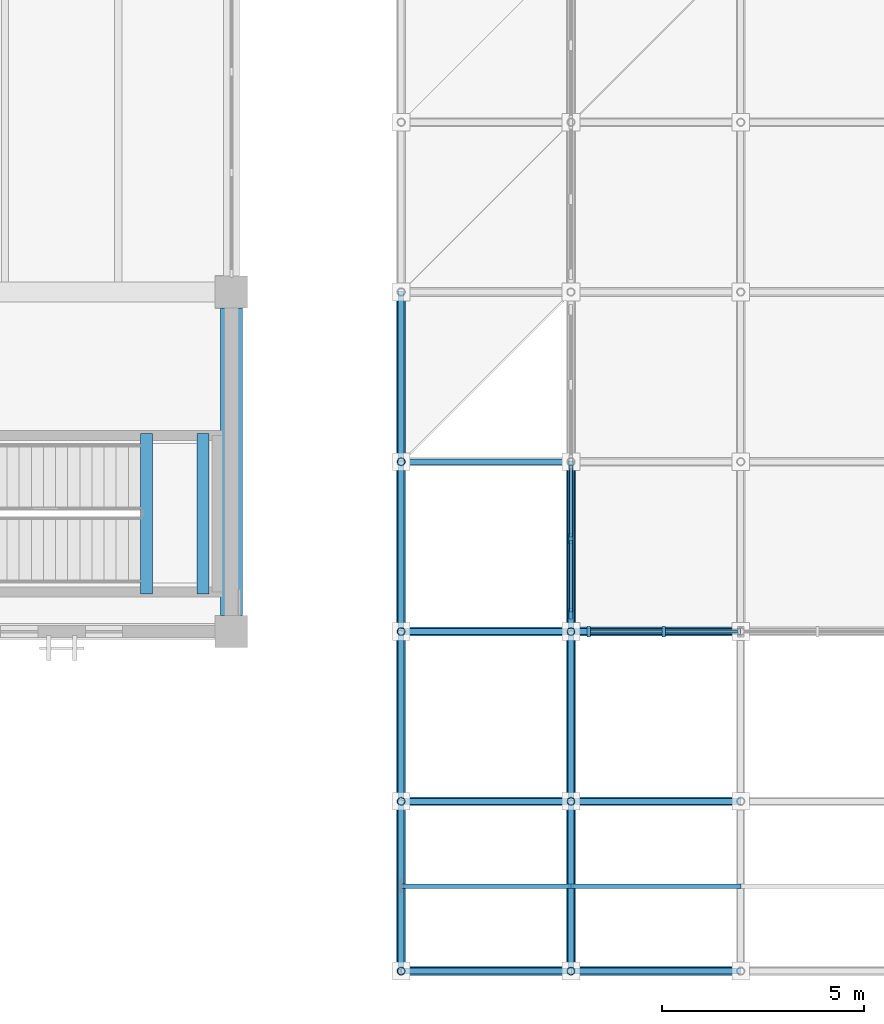
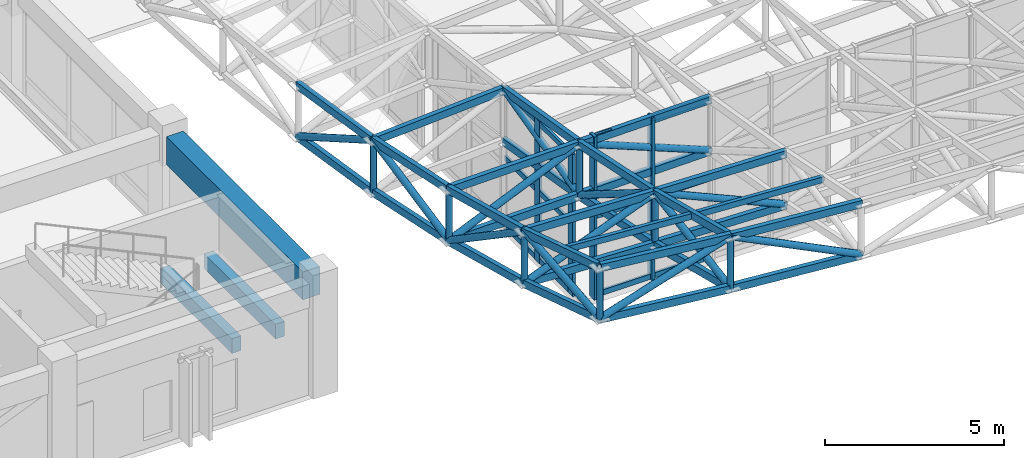
# One storey, part 13 of 132: 65 members, 3 beams, 2 elements without a shape of their own.
"""IFC4 building model written with IfcOpenShell, lengths in metres."""

from ifc_helpers import new_model, si_unit, direction, frame, origin, origin_2d, place, context, subcontext, project, spatial, rectangle, hollow_rectangle, hollow_circle, extrude, material, material_profile, profile_set, type_object, element, aggregate, save


model = new_model("IFC4")

# Units and contexts
model_context = context("Model", 3, precision=1e-05, world=origin(), true_north=direction((0.0, 1.0)))
body_context = subcontext(model_context, "Body", "Model", "MODEL_VIEW")
ifc_project = project(units=[si_unit("LENGTHUNIT", "METRE"), si_unit("AREAUNIT", "SQUARE_METRE"), si_unit("VOLUMEUNIT", "CUBIC_METRE"), si_unit("PLANEANGLEUNIT", "RADIAN"), si_unit("MASSUNIT", "GRAM", prefix="KILO")], contexts=[model_context])

# Site, building, storey
site_placement = place(None, origin())
site = spatial("IfcSite", under=ifc_project, at=site_placement, CompositionType="ELEMENT")
building_placement = place(site_placement, origin())
building = spatial("IfcBuilding", under=site, at=building_placement, Name="Cumbredor Promenade Congress Hotel", CompositionType="ELEMENT")
storey_placement = place(building_placement, frame((0.0, 0.0, 7.56005859375)))
storey = spatial("IfcBuildingStorey", under=building, at=storey_placement, Name="L02", CompositionType="ELEMENT", Elevation=7.56005859375)

# Beam
ifc_material_1 = material(Name="Concrete C40/50", Category="concrete")
ifc_material_profile_1 = material_profile(ifc_material_1, rectangle(XDim=0.550048828125, YDim=0.949951171875, at=origin_2d()), Name="RC BEAM 550x950")
ifc_profile_set_1 = profile_set([ifc_material_profile_1], Name="Concrete C40/50")
beam_type_1 = type_object("IfcBeamType", Name="BM-RC-550x950", PredefinedType="BEAM", material=ifc_profile_set_1)
beam_placement = place(storey_placement, frame((67.199951171875, 8.800048828125, 3.324951171875), z_axis=(0.0, 1.0, 0.0), x_axis=(-1.0, 0.0, 0.0)))
element("IfcBeam", 1, at=beam_placement, inside=storey, type_object=beam_type_1, Name="L03 Y-Grid Beam 115", PredefinedType="BEAM", context=body_context, shape_type="SweptSolid", body=[
    extrude(rectangle(XDim=0.550048828125, YDim=0.949951171875, at=origin_2d()), origin(), (0.0, 0.0, 1.0), 7.599853515625),
])

# Curtain wall, members
ifc_material_2 = material(Name="Thermally broken anodized aluminium and low-E glass", Category="aluminium")
curtain_wall_type = type_object("IfcCurtainWallType", Name="Stepped Pavilion Clerestory Curtain Wall CW-06", PredefinedType="NOTDEFINED", material=ifc_material_2)
curtain_wall_1_placement = place(storey_placement, origin())
curtain_wall_1 = element("IfcCurtainWall", 2, at=curtain_wall_1_placement, inside=storey, type_object=curtain_wall_type, Name="Thermal Spa and Hydrotherapy Pavilion S Glazed Clerestory 1", PredefinedType="NOTDEFINED")
ifc_material_3 = material(Name="Thermally broken anodized aluminium", Category="aluminium")
ifc_material_profile_2 = material_profile(ifc_material_3, rectangle(XDim=0.0849609375, YDim=0.260009765625, at=origin_2d()), Name="ALU MULLION CLERESTORY 85x260")
ifc_profile_set_2 = profile_set([ifc_material_profile_2], Name="Thermally broken anodized aluminium")
member_type_1 = type_object("IfcMemberType", Name="Curtain Wall Mullion ML-04", PredefinedType="MULLION", material=ifc_profile_set_2)
member_1_placement = place(storey_placement, frame((76.0400390625, 8.39990234375, -0.01806640625), z_axis=(0.0, 0.0, 1.0), x_axis=(1.0, 0.0, 0.0)))
member_1 = element("IfcMember", 3, at=member_1_placement, type_object=member_type_1, Name="Thermal Spa and Hydrotherapy Pavilion S Glazed Clerestory 1 Mullion 1", PredefinedType="MULLION", context=body_context, shape_type="SweptSolid", body=[
    extrude(rectangle(XDim=0.0849609375, YDim=0.260009765625, at=origin_2d()), origin(), (0.0, 0.0, 1.0), 5.54931640625),
])
member_2_placement = place(storey_placement, frame((77.89990234375, 8.39990234375, -0.01806640625), z_axis=(0.0, 0.0, 1.0), x_axis=(1.0, 0.0, 0.0)))
member_2 = element("IfcMember", 4, at=member_2_placement, type_object=member_type_1, Name="Thermal Spa and Hydrotherapy Pavilion S Glazed Clerestory 1 Mullion 2", PredefinedType="MULLION", context=body_context, shape_type="SweptSolid", body=[
    extrude(rectangle(XDim=0.0849609375, YDim=0.260009765625, at=origin_2d()), origin(), (0.0, 0.0, 1.0), 5.54931640625),
])

curtain_wall_2_placement = place(storey_placement, origin())
curtain_wall_2 = element("IfcCurtainWall", 5, at=curtain_wall_2_placement, inside=storey, type_object=curtain_wall_type, Name="Thermal Spa and Hydrotherapy Pavilion W Glazed Clerestory 1", PredefinedType="NOTDEFINED")
member_3_placement = place(storey_placement, frame((75.60009765625, 8.840087890625, -0.01806640625), z_axis=(0.0, 0.0, 1.0), x_axis=(1.0, 0.0, 0.0)))
member_3 = element("IfcMember", 6, at=member_3_placement, type_object=member_type_1, Name="Thermal Spa and Hydrotherapy Pavilion W Glazed Clerestory 1 Mullion 1", PredefinedType="MULLION", context=body_context, shape_type="SweptSolid", body=[
    extrude(rectangle(XDim=0.0849609375, YDim=0.260009765625, at=origin_2d()), origin(), (0.0, 0.0, 1.0), 4.845947265625),
])
member_4_placement = place(storey_placement, frame((75.60009765625, 10.699951171875, -0.01806640625), z_axis=(0.0, 0.0, 1.0), x_axis=(1.0, 0.0, 0.0)))
member_4 = element("IfcMember", 7, at=member_4_placement, type_object=member_type_1, Name="Thermal Spa and Hydrotherapy Pavilion W Glazed Clerestory 1 Mullion 2", PredefinedType="MULLION", context=body_context, shape_type="SweptSolid", body=[
    extrude(rectangle(XDim=0.0849609375, YDim=0.260009765625, at=origin_2d()), origin(), (0.0, 0.0, 1.0), 4.845947265625),
])

# Member
ifc_material_profile_3 = material_profile(ifc_material_3, rectangle(XDim=0.080078125, YDim=0.179931640625, at=origin_2d()), Name="ALU TRANSOM 80x180")
ifc_profile_set_3 = profile_set([ifc_material_profile_3], Name="Thermally broken anodized aluminium")
member_type_2 = type_object("IfcMemberType", Name="Curtain Wall Transom TR-03", PredefinedType="USERDEFINED", material=ifc_profile_set_3)
member_5_placement = place(storey_placement, frame((76.08251953125, 8.39990234375, 0.079833984375), z_axis=(1.0, 0.0, 0.0), x_axis=(0.0, 1.0, 0.0)))
member_5 = element("IfcMember", 8, at=member_5_placement, type_object=member_type_2, Name="Thermal Spa and Hydrotherapy Pavilion S Glazed Clerestory 1 Transom 1.1", ObjectType="TRANSOM", PredefinedType="USERDEFINED", context=body_context, shape_type="SweptSolid", body=[
    extrude(rectangle(XDim=0.080078125, YDim=0.179931640625, at=origin_2d()), origin(), (0.0, 0.0, 1.0), 1.77490234375),
])

member_6_placement = place(storey_placement, frame((76.08251953125, 8.39990234375, 2.75), z_axis=(1.0, 0.0, 0.0), x_axis=(0.0, 1.0, 0.0)))
member_6 = element("IfcMember", 9, at=member_6_placement, type_object=member_type_2, Name="Thermal Spa and Hydrotherapy Pavilion S Glazed Clerestory 1 Transom 1.2", ObjectType="TRANSOM", PredefinedType="USERDEFINED", context=body_context, shape_type="SweptSolid", body=[
    extrude(rectangle(XDim=0.080078125, YDim=0.179931640625, at=origin_2d()), origin(), (0.0, 0.0, 1.0), 1.77490234375),
])

member_7_placement = place(storey_placement, frame((76.08251953125, 8.39990234375, 5.429931640625), z_axis=(1.0, 0.0, 0.0), x_axis=(0.0, 1.0, 0.0)))
member_7 = element("IfcMember", 10, at=member_7_placement, type_object=member_type_2, Name="Thermal Spa and Hydrotherapy Pavilion S Glazed Clerestory 1 Transom 1.3", ObjectType="TRANSOM", PredefinedType="USERDEFINED", context=body_context, shape_type="SweptSolid", body=[
    extrude(rectangle(XDim=0.080078125, YDim=0.179931640625, at=origin_2d()), origin(), (0.0, 0.0, 1.0), 1.77490234375),
])

member_8_placement = place(storey_placement, frame((77.9423828125, 8.39990234375, 0.079833984375), z_axis=(1.0, 0.0, 0.0), x_axis=(0.0, 1.0, 0.0)))
member_8 = element("IfcMember", 11, at=member_8_placement, type_object=member_type_2, Name="Thermal Spa and Hydrotherapy Pavilion S Glazed Clerestory 1 Transom 2.1", ObjectType="TRANSOM", PredefinedType="USERDEFINED", context=body_context, shape_type="SweptSolid", body=[
    extrude(rectangle(XDim=0.080078125, YDim=0.179931640625, at=origin_2d()), origin(), (0.0, 0.0, 1.0), 1.775146484375),
])

member_9_placement = place(storey_placement, frame((77.9423828125, 8.39990234375, 2.75), z_axis=(1.0, 0.0, 0.0), x_axis=(0.0, 1.0, 0.0)))
member_9 = element("IfcMember", 12, at=member_9_placement, type_object=member_type_2, Name="Thermal Spa and Hydrotherapy Pavilion S Glazed Clerestory 1 Transom 2.2", ObjectType="TRANSOM", PredefinedType="USERDEFINED", context=body_context, shape_type="SweptSolid", body=[
    extrude(rectangle(XDim=0.080078125, YDim=0.179931640625, at=origin_2d()), origin(), (0.0, 0.0, 1.0), 1.775146484375),
])

member_10_placement = place(storey_placement, frame((77.9423828125, 8.39990234375, 5.429931640625), z_axis=(1.0, 0.0, 0.0), x_axis=(0.0, 1.0, 0.0)))
member_10 = element("IfcMember", 13, at=member_10_placement, type_object=member_type_2, Name="Thermal Spa and Hydrotherapy Pavilion S Glazed Clerestory 1 Transom 2.3", ObjectType="TRANSOM", PredefinedType="USERDEFINED", context=body_context, shape_type="SweptSolid", body=[
    extrude(rectangle(XDim=0.080078125, YDim=0.179931640625, at=origin_2d()), origin(), (0.0, 0.0, 1.0), 1.775146484375),
])

aggregate(curtain_wall_1, [member_1, member_2, member_5, member_6, member_7, member_8, member_9, member_10])

member_11_placement = place(storey_placement, frame((75.60009765625, 8.882568359375, 0.079833984375), z_axis=(0.0, 1.0, 0.0), x_axis=(-1.0, 0.0, 0.0)))
member_11 = element("IfcMember", 14, at=member_11_placement, type_object=member_type_2, Name="Thermal Spa and Hydrotherapy Pavilion W Glazed Clerestory 1 Transom 1.1", ObjectType="TRANSOM", PredefinedType="USERDEFINED", context=body_context, shape_type="SweptSolid", body=[
    extrude(rectangle(XDim=0.080078125, YDim=0.179931640625, at=origin_2d()), origin(), (0.0, 0.0, 1.0), 1.77490234375),
])

member_12_placement = place(storey_placement, frame((75.60009765625, 8.882568359375, 2.39990234375), z_axis=(0.0, 1.0, 0.0), x_axis=(-1.0, 0.0, 0.0)))
member_12 = element("IfcMember", 15, at=member_12_placement, type_object=member_type_2, Name="Thermal Spa and Hydrotherapy Pavilion W Glazed Clerestory 1 Transom 1.2", ObjectType="TRANSOM", PredefinedType="USERDEFINED", context=body_context, shape_type="SweptSolid", body=[
    extrude(rectangle(XDim=0.080078125, YDim=0.179931640625, at=origin_2d()), origin(), (0.0, 0.0, 1.0), 1.77490234375),
])

member_13_placement = place(storey_placement, frame((75.60009765625, 8.882568359375, 4.72998046875), z_axis=(0.0, 1.0, 0.0), x_axis=(-1.0, 0.0, 0.0)))
member_13 = element("IfcMember", 16, at=member_13_placement, type_object=member_type_2, Name="Thermal Spa and Hydrotherapy Pavilion W Glazed Clerestory 1 Transom 1.3", ObjectType="TRANSOM", PredefinedType="USERDEFINED", context=body_context, shape_type="SweptSolid", body=[
    extrude(rectangle(XDim=0.080078125, YDim=0.179931640625, at=origin_2d()), origin(), (0.0, 0.0, 1.0), 1.77490234375),
])

member_14_placement = place(storey_placement, frame((75.60009765625, 10.742431640625, 0.079833984375), z_axis=(0.0, 1.0, 0.0), x_axis=(-1.0, 0.0, 0.0)))
member_14 = element("IfcMember", 17, at=member_14_placement, type_object=member_type_2, Name="Thermal Spa and Hydrotherapy Pavilion W Glazed Clerestory 1 Transom 2.1", ObjectType="TRANSOM", PredefinedType="USERDEFINED", context=body_context, shape_type="SweptSolid", body=[
    extrude(rectangle(XDim=0.080078125, YDim=0.179931640625, at=origin_2d()), origin(), (0.0, 0.0, 1.0), 1.775146484375),
])

member_15_placement = place(storey_placement, frame((75.60009765625, 10.742431640625, 2.39990234375), z_axis=(0.0, 1.0, 0.0), x_axis=(-1.0, 0.0, 0.0)))
member_15 = element("IfcMember", 18, at=member_15_placement, type_object=member_type_2, Name="Thermal Spa and Hydrotherapy Pavilion W Glazed Clerestory 1 Transom 2.2", ObjectType="TRANSOM", PredefinedType="USERDEFINED", context=body_context, shape_type="SweptSolid", body=[
    extrude(rectangle(XDim=0.080078125, YDim=0.179931640625, at=origin_2d()), origin(), (0.0, 0.0, 1.0), 1.775146484375),
])

member_16_placement = place(storey_placement, frame((75.60009765625, 10.742431640625, 4.72998046875), z_axis=(0.0, 1.0, 0.0), x_axis=(-1.0, 0.0, 0.0)))
member_16 = element("IfcMember", 19, at=member_16_placement, type_object=member_type_2, Name="Thermal Spa and Hydrotherapy Pavilion W Glazed Clerestory 1 Transom 2.3", ObjectType="TRANSOM", PredefinedType="USERDEFINED", context=body_context, shape_type="SweptSolid", body=[
    extrude(rectangle(XDim=0.080078125, YDim=0.179931640625, at=origin_2d()), origin(), (0.0, 0.0, 1.0), 1.775146484375),
])

aggregate(curtain_wall_2, [member_3, member_4, member_11, member_12, member_13, member_14, member_15, member_16])

# Beams
ifc_material_profile_4 = material_profile(ifc_material_1, rectangle(XDim=0.300048828125, YDim=0.5, at=origin_2d()), Name="RC LINTEL 300x500")
ifc_profile_set_4 = profile_set([ifc_material_profile_4], Name="Concrete C40/50")
beam_type_2 = type_object("IfcBeamType", Name="LN-RC-300x500", PredefinedType="LINTEL", material=ifc_profile_set_4)
for number, where, z_axis, x_axis, name in (
    (20, (66.5, 9.330078125, 1.64990234375), (0.0, 1.0, 0.0), (-1.0, 0.0, 0.0), "L02 Stair ST-05 Landing Ledger Beam E"),
    (21, (65.10009765625, 9.330078125, 1.64990234375), (0.0, 1.0, 0.0), (-1.0, 0.0, 0.0), "L02 Stair ST-05 Landing Ledger Beam W"),
):
    element("IfcBeam", number, at=place(storey_placement, frame(where, z_axis=z_axis, x_axis=x_axis)), inside=storey, type_object=beam_type_2, Name=name, PredefinedType="LINTEL", context=body_context, shape_type="SweptSolid", body=[
        extrude(rectangle(XDim=0.300048828125, YDim=0.5, at=origin_2d()), origin(), (0.0, 0.0, 1.0), 3.969970703125),
    ])

# Members
ifc_material_4 = material(Name="Steel ASTM A500 Grade C", Category="steel")
ifc_material_profile_5 = material_profile(ifc_material_4, hollow_rectangle(XDim=0.1201171875, YDim=0.199951171875, WallThickness=0.010009765625, at=origin_2d()), Name="HSS 200x120x10")
ifc_profile_set_5 = profile_set([ifc_material_profile_5], Name="Steel ASTM A500 Grade C")
member_type_3 = type_object("IfcMemberType", Name="Roof Purlin HSS200x120", PredefinedType="PURLIN", material=ifc_profile_set_5)
member_17_placement = place(storey_placement, frame((71.39990234375, 2.10009765625, 7.062255859375), z_axis=(0.997588284187, 0.0, -0.069409043023), x_axis=(0.0, 1.0, 0.0)))
element("IfcMember", 22, at=member_17_placement, inside=storey, type_object=member_type_3, Name="Thermal Spa and Hydrotherapy Pavilion Roof Eave Purlin 1.1", PredefinedType="PURLIN", context=body_context, shape_type="SweptSolid", body=[
    extrude(hollow_rectangle(XDim=0.1201171875, YDim=0.199951171875, WallThickness=0.010009765625, at=origin_2d()), origin(), (0.0, 0.0, 1.0), 4.21044921875),
])
member_18_placement = place(storey_placement, frame((75.60009765625, 2.10009765625, 6.77001953125), z_axis=(0.998569958899, 0.0, -0.05346061339), x_axis=(0.0, 1.0, 0.0)))
element("IfcMember", 23, at=member_18_placement, inside=storey, type_object=member_type_3, Name="Thermal Spa and Hydrotherapy Pavilion Roof Eave Purlin 2.1", PredefinedType="PURLIN", context=body_context, shape_type="SweptSolid", body=[
    extrude(hollow_rectangle(XDim=0.1201171875, YDim=0.199951171875, WallThickness=0.010009765625, at=origin_2d()), origin(), (0.0, 0.0, 1.0), 4.2060546875),
])
ifc_material_profile_6 = material_profile(ifc_material_4, hollow_rectangle(XDim=0.14990234375, YDim=0.25, WallThickness=0.012451171875, at=origin_2d()), Name="HSS 250x150x12.5")
ifc_profile_set_6 = profile_set([ifc_material_profile_6], Name="Steel ASTM A500 Grade C")
member_type_4 = type_object("IfcMemberType", Name="Spa Roof Space Frame Chord", PredefinedType="CHORD", material=ifc_profile_set_6)
for number, where, z_axis, x_axis, name in (
    (24, (71.39990234375, 0.0, 7.749755859375), (0.994831281844, 0.0, -0.10154171884), (0.0, 1.0, 0.0), "Thermal Spa and Hydrotherapy Pavilion X Top Chord 1.1"),
    (25, (71.39990234375, 0.0, 5.999755859375), (0.994831281844, 0.0, -0.10154171884), (0.0, 1.0, 0.0), "Thermal Spa and Hydrotherapy Pavilion X Bottom Chord 1.1"),
):
    element("IfcMember", number, at=place(storey_placement, frame(where, z_axis=z_axis, x_axis=x_axis)), inside=storey, type_object=member_type_4, Name=name, PredefinedType="CHORD", context=body_context, shape_type="SweptSolid", body=[
        extrude(hollow_rectangle(XDim=0.14990234375, YDim=0.25, WallThickness=0.012451171875, at=origin_2d()), origin(), (0.0, 0.0, 1.0), 4.221923828125),
    ])
for number, where, z_axis, x_axis, name in (
    (26, (75.60009765625, 0.0, 7.321044921875), (0.996875975004, 0.0, -0.07898284915), (0.0, 1.0, 0.0), "Thermal Spa and Hydrotherapy Pavilion X Top Chord 2.1"),
    (27, (75.60009765625, 0.0, 5.571044921875), (0.996875975004, 0.0, -0.07898284915), (0.0, 1.0, 0.0), "Thermal Spa and Hydrotherapy Pavilion X Bottom Chord 2.1"),
):
    element("IfcMember", number, at=place(storey_placement, frame(where, z_axis=z_axis, x_axis=x_axis)), inside=storey, type_object=member_type_4, Name=name, PredefinedType="CHORD", context=body_context, shape_type="SweptSolid", body=[
        extrude(hollow_rectangle(XDim=0.14990234375, YDim=0.25, WallThickness=0.012451171875, at=origin_2d()), origin(), (0.0, 0.0, 1.0), 4.213134765625),
    ])
for number, where, z_axis, x_axis, name in (
    (28, (71.39990234375, 4.199951171875, 6.414794921875), (0.999313082109, 0.0, -0.03705892504), (0.0, 1.0, 0.0), "Thermal Spa and Hydrotherapy Pavilion X Top Chord 1.2"),
    (29, (71.39990234375, 4.199951171875, 4.664794921875), (0.999313082109, 0.0, -0.03705892504), (0.0, 1.0, 0.0), "Thermal Spa and Hydrotherapy Pavilion X Bottom Chord 1.2"),
):
    element("IfcMember", number, at=place(storey_placement, frame(where, z_axis=z_axis, x_axis=x_axis)), inside=storey, type_object=member_type_4, Name=name, PredefinedType="CHORD", context=body_context, shape_type="SweptSolid", body=[
        extrude(hollow_rectangle(XDim=0.14990234375, YDim=0.25, WallThickness=0.012451171875, at=origin_2d()), origin(), (0.0, 0.0, 1.0), 4.203125),
    ])
for number, where, z_axis, x_axis, name in (
    (30, (75.60009765625, 4.199951171875, 6.259033203125), (0.999612581625, 0.0, -0.027833193431), (0.0, 1.0, 0.0), "Thermal Spa and Hydrotherapy Pavilion X Top Chord 2.2"),
    (31, (75.60009765625, 4.199951171875, 4.509033203125), (0.999612581625, 0.0, -0.027833193431), (0.0, 1.0, 0.0), "Thermal Spa and Hydrotherapy Pavilion X Bottom Chord 2.2"),
):
    element("IfcMember", number, at=place(storey_placement, frame(where, z_axis=z_axis, x_axis=x_axis)), inside=storey, type_object=member_type_4, Name=name, PredefinedType="CHORD", context=body_context, shape_type="SweptSolid", body=[
        extrude(hollow_rectangle(XDim=0.14990234375, YDim=0.25, WallThickness=0.012451171875, at=origin_2d()), origin(), (0.0, 0.0, 1.0), 4.20166015625),
    ])
for number, where, z_axis, x_axis, name in (
    (32, (71.39990234375, 8.39990234375, 5.30615234375), (0.999844941573, 0.0, 0.017609452296), (0.0, 1.0, 0.0), "Thermal Spa and Hydrotherapy Pavilion X Top Chord 1.3"),
    (33, (71.39990234375, 8.39990234375, 3.55615234375), (0.999844941573, 0.0, 0.017609452296), (0.0, 1.0, 0.0), "Thermal Spa and Hydrotherapy Pavilion X Bottom Chord 1.3"),
):
    element("IfcMember", number, at=place(storey_placement, frame(where, z_axis=z_axis, x_axis=x_axis)), inside=storey, type_object=member_type_4, Name=name, PredefinedType="CHORD", context=body_context, shape_type="SweptSolid", body=[
        extrude(hollow_rectangle(XDim=0.14990234375, YDim=0.25, WallThickness=0.012451171875, at=origin_2d()), origin(), (0.0, 0.0, 1.0), 4.200927734375),
    ])
for number, where, z_axis, x_axis, name in (
    (34, (75.60009765625, 8.39990234375, 5.380126953125), (0.99989526494, 0.0, 0.014472703655), (0.0, 1.0, 0.0), "Thermal Spa and Hydrotherapy Pavilion X Top Chord 2.3"),
    (35, (75.60009765625, 8.39990234375, 3.630126953125), (0.99989526494, 0.0, 0.014472703655), (0.0, 1.0, 0.0), "Thermal Spa and Hydrotherapy Pavilion X Bottom Chord 2.3"),
):
    element("IfcMember", number, at=place(storey_placement, frame(where, z_axis=z_axis, x_axis=x_axis)), inside=storey, type_object=member_type_4, Name=name, PredefinedType="CHORD", context=body_context, shape_type="SweptSolid", body=[
        extrude(hollow_rectangle(XDim=0.14990234375, YDim=0.25, WallThickness=0.012451171875, at=origin_2d()), origin(), (0.0, 0.0, 1.0), 4.200439453125),
    ])
member_19_placement = place(storey_placement, frame((71.39990234375, 12.60009765625, 4.418701171875), z_axis=(0.998114386185, 0.0, 0.061381365995), x_axis=(0.0, 1.0, 0.0)))
element("IfcMember", 36, at=member_19_placement, inside=storey, type_object=member_type_4, Name="Thermal Spa and Hydrotherapy Pavilion X Top Chord 1.4", PredefinedType="CHORD", context=body_context, shape_type="SweptSolid", body=[
    extrude(hollow_rectangle(XDim=0.14990234375, YDim=0.25, WallThickness=0.012451171875, at=origin_2d()), origin(), (0.0, 0.0, 1.0), 4.208251953125),
])
for number, where, z_axis, x_axis, name in (
    (37, (71.39990234375, 0.0, 7.749755859375), (0.0, 0.953016681797, -0.302917817594), (-1.0, 0.0, 0.0), "Thermal Spa and Hydrotherapy Pavilion Y Top Chord 1.1"),
    (38, (71.39990234375, 0.0, 5.999755859375), (0.0, 0.953016681797, -0.302917817594), (-1.0, 0.0, 0.0), "Thermal Spa and Hydrotherapy Pavilion Y Bottom Chord 1.1"),
):
    element("IfcMember", number, at=place(storey_placement, frame(where, z_axis=z_axis, x_axis=x_axis)), inside=storey, type_object=member_type_4, Name=name, PredefinedType="CHORD", context=body_context, shape_type="SweptSolid", body=[
        extrude(hollow_rectangle(XDim=0.14990234375, YDim=0.25, WallThickness=0.012451171875, at=origin_2d()), origin(), (0.0, 0.0, 1.0), 4.406982421875),
    ])
for number, where, z_axis, x_axis, name in (
    (39, (71.39990234375, 4.199951171875, 6.414794921875), (0.0, 0.966882060335, -0.255223591), (-1.0, 0.0, 0.0), "Thermal Spa and Hydrotherapy Pavilion Y Top Chord 1.2"),
    (40, (71.39990234375, 4.199951171875, 4.664794921875), (0.0, 0.966882060335, -0.255223591), (-1.0, 0.0, 0.0), "Thermal Spa and Hydrotherapy Pavilion Y Bottom Chord 1.2"),
):
    element("IfcMember", number, at=place(storey_placement, frame(where, z_axis=z_axis, x_axis=x_axis)), inside=storey, type_object=member_type_4, Name=name, PredefinedType="CHORD", context=body_context, shape_type="SweptSolid", body=[
        extrude(hollow_rectangle(XDim=0.14990234375, YDim=0.25, WallThickness=0.012451171875, at=origin_2d()), origin(), (0.0, 0.0, 1.0), 4.34375),
    ])
for number, where, z_axis, x_axis, name in (
    (41, (71.39990234375, 8.39990234375, 5.30615234375), (0.0, 0.978399278132, -0.206724097652), (-1.0, 0.0, 0.0), "Thermal Spa and Hydrotherapy Pavilion Y Top Chord 1.3"),
    (42, (71.39990234375, 8.39990234375, 3.55615234375), (0.0, 0.978399278132, -0.206724097652), (-1.0, 0.0, 0.0), "Thermal Spa and Hydrotherapy Pavilion Y Bottom Chord 1.3"),
):
    element("IfcMember", number, at=place(storey_placement, frame(where, z_axis=z_axis, x_axis=x_axis)), inside=storey, type_object=member_type_4, Name=name, PredefinedType="CHORD", context=body_context, shape_type="SweptSolid", body=[
        extrude(hollow_rectangle(XDim=0.14990234375, YDim=0.25, WallThickness=0.012451171875, at=origin_2d()), origin(), (0.0, 0.0, 1.0), 4.29296875),
    ])
for number, where, z_axis, x_axis, name in (
    (43, (71.39990234375, 12.60009765625, 4.418701171875), (0.0, 0.987676695168, -0.156507973669), (-1.0, 0.0, 0.0), "Thermal Spa and Hydrotherapy Pavilion Y Top Chord 1.4"),
    (44, (71.39990234375, 12.60009765625, 2.668701171875), (0.0, 0.987676695168, -0.156507973669), (-1.0, 0.0, 0.0), "Thermal Spa and Hydrotherapy Pavilion Y Bottom Chord 1.4"),
):
    element("IfcMember", number, at=place(storey_placement, frame(where, z_axis=z_axis, x_axis=x_axis)), inside=storey, type_object=member_type_4, Name=name, PredefinedType="CHORD", context=body_context, shape_type="SweptSolid", body=[
        extrude(hollow_rectangle(XDim=0.14990234375, YDim=0.25, WallThickness=0.012451171875, at=origin_2d()), origin(), (0.0, 0.0, 1.0), 4.25244140625),
    ])
for number, where, z_axis, x_axis, name in (
    (45, (75.60009765625, 0.0, 7.321044921875), (0.0, 0.969485920896, -0.245146995053), (-1.0, 0.0, 0.0), "Thermal Spa and Hydrotherapy Pavilion Y Top Chord 2.1"),
    (46, (75.60009765625, 0.0, 5.571044921875), (0.0, 0.969485920896, -0.245146995053), (-1.0, 0.0, 0.0), "Thermal Spa and Hydrotherapy Pavilion Y Bottom Chord 2.1"),
):
    element("IfcMember", number, at=place(storey_placement, frame(where, z_axis=z_axis, x_axis=x_axis)), inside=storey, type_object=member_type_4, Name=name, PredefinedType="CHORD", context=body_context, shape_type="SweptSolid", body=[
        extrude(hollow_rectangle(XDim=0.14990234375, YDim=0.25, WallThickness=0.012451171875, at=origin_2d()), origin(), (0.0, 0.0, 1.0), 4.33203125),
    ])
for number, where, z_axis, x_axis, name in (
    (47, (75.60009765625, 4.199951171875, 6.259033203125), (0.0, 0.97879778836, -0.204828927402), (-1.0, 0.0, 0.0), "Thermal Spa and Hydrotherapy Pavilion Y Top Chord 2.2"),
    (48, (75.60009765625, 4.199951171875, 4.509033203125), (0.0, 0.97879778836, -0.204828927402), (-1.0, 0.0, 0.0), "Thermal Spa and Hydrotherapy Pavilion Y Bottom Chord 2.2"),
):
    element("IfcMember", number, at=place(storey_placement, frame(where, z_axis=z_axis, x_axis=x_axis)), inside=storey, type_object=member_type_4, Name=name, PredefinedType="CHORD", context=body_context, shape_type="SweptSolid", body=[
        extrude(hollow_rectangle(XDim=0.14990234375, YDim=0.25, WallThickness=0.012451171875, at=origin_2d()), origin(), (0.0, 0.0, 1.0), 4.291015625),
    ])
for number, where, z_axis, x_axis, name in (
    (49, (75.60009765625, 8.39990234375, 5.380126953125), (0.0, 0.986275915387, -0.165105477582), (-1.0, 0.0, 0.0), "Thermal Spa and Hydrotherapy Pavilion Y Top Chord 2.3"),
    (50, (75.60009765625, 8.39990234375, 3.630126953125), (0.0, 0.986275915387, -0.165105477582), (-1.0, 0.0, 0.0), "Thermal Spa and Hydrotherapy Pavilion Y Bottom Chord 2.3"),
):
    element("IfcMember", number, at=place(storey_placement, frame(where, z_axis=z_axis, x_axis=x_axis)), inside=storey, type_object=member_type_4, Name=name, PredefinedType="CHORD", context=body_context, shape_type="SweptSolid", body=[
        extrude(hollow_rectangle(XDim=0.14990234375, YDim=0.25, WallThickness=0.012451171875, at=origin_2d()), origin(), (0.0, 0.0, 1.0), 4.258544921875),
    ])
ifc_material_profile_7 = material_profile(ifc_material_4, hollow_circle(Radius=0.109619140625, WallThickness=0.012451171875, at=origin_2d()), Name="CHS 219.1x12.5")
ifc_profile_set_7 = profile_set([ifc_material_profile_7], Name="Steel ASTM A500 Grade C")
member_type_5 = type_object("IfcMemberType", Name="Space Frame Web Diagonal D1", PredefinedType="BRACE", material=ifc_profile_set_7)
member_20_placement = place(storey_placement, frame((71.39990234375, 0.0, 5.999755859375), z_axis=(0.953913931434, 0.0, 0.300080341602), x_axis=(0.0, 1.0, 0.0)))
element("IfcMember", 51, at=member_20_placement, inside=storey, type_object=member_type_5, Name="Thermal Spa and Hydrotherapy Pavilion X Web Diagonal 1.1", PredefinedType="BRACE", context=body_context, shape_type="SweptSolid", body=[
    extrude(hollow_circle(Radius=0.109619140625, WallThickness=0.012451171875, at=origin_2d()), origin(), (0.0, 0.0, 1.0), 4.403076171875),
])
member_21_placement = place(storey_placement, frame((75.60009765625, 0.0, 7.321044921875), z_axis=(0.89589095667, 0.0, -0.444274007519), x_axis=(0.0, 1.0, 0.0)))
element("IfcMember", 52, at=member_21_placement, inside=storey, type_object=member_type_5, Name="Thermal Spa and Hydrotherapy Pavilion X Web Diagonal 2.1", PredefinedType="BRACE", context=body_context, shape_type="SweptSolid", body=[
    extrude(hollow_circle(Radius=0.109619140625, WallThickness=0.012451171875, at=origin_2d()), origin(), (0.0, 0.0, 1.0), 4.68798828125),
])
member_22_placement = place(storey_placement, frame((71.39990234375, 4.199951171875, 4.664794921875), z_axis=(0.934919208754, 0.0, 0.354860638989), x_axis=(0.0, 1.0, 0.0)))
element("IfcMember", 53, at=member_22_placement, inside=storey, type_object=member_type_5, Name="Thermal Spa and Hydrotherapy Pavilion X Web Diagonal 1.2", PredefinedType="BRACE", context=body_context, shape_type="SweptSolid", body=[
    extrude(hollow_circle(Radius=0.109619140625, WallThickness=0.012451171875, at=origin_2d()), origin(), (0.0, 0.0, 1.0), 4.49267578125),
])
member_23_placement = place(storey_placement, frame((75.60009765625, 4.199951171875, 6.259033203125), z_axis=(0.913787452289, 0.0, -0.406192678466), x_axis=(0.0, 1.0, 0.0)))
element("IfcMember", 54, at=member_23_placement, inside=storey, type_object=member_type_5, Name="Thermal Spa and Hydrotherapy Pavilion X Web Diagonal 2.2", PredefinedType="BRACE", context=body_context, shape_type="SweptSolid", body=[
    extrude(hollow_circle(Radius=0.109619140625, WallThickness=0.012451171875, at=origin_2d()), origin(), (0.0, 0.0, 1.0), 4.59619140625),
])
member_24_placement = place(storey_placement, frame((71.39990234375, 8.39990234375, 3.55615234375), z_axis=(0.91724542653, 0.0, 0.39832251695), x_axis=(0.0, 1.0, 0.0)))
element("IfcMember", 55, at=member_24_placement, inside=storey, type_object=member_type_5, Name="Thermal Spa and Hydrotherapy Pavilion X Web Diagonal 1.3", PredefinedType="BRACE", context=body_context, shape_type="SweptSolid", body=[
    extrude(hollow_circle(Radius=0.109619140625, WallThickness=0.012451171875, at=origin_2d()), origin(), (0.0, 0.0, 1.0), 4.5791015625),
])
member_25_placement = place(storey_placement, frame((75.60009765625, 8.39990234375, 5.380126953125), z_axis=(0.927772067225, 0.0, -0.373147412261), x_axis=(0.0, 1.0, 0.0)))
element("IfcMember", 56, at=member_25_placement, inside=storey, type_object=member_type_5, Name="Thermal Spa and Hydrotherapy Pavilion X Web Diagonal 2.3", PredefinedType="BRACE", context=body_context, shape_type="SweptSolid", body=[
    extrude(hollow_circle(Radius=0.109619140625, WallThickness=0.012451171875, at=origin_2d()), origin(), (0.0, 0.0, 1.0), 4.52685546875),
])
member_26_placement = place(storey_placement, frame((71.39990234375, 0.0, 5.999755859375), z_axis=(0.0, 0.995152778935, 0.098340971004), x_axis=(-1.0, 0.0, 0.0)))
element("IfcMember", 57, at=member_26_placement, inside=storey, type_object=member_type_5, Name="Thermal Spa and Hydrotherapy Pavilion Y Web Diagonal 1.1", PredefinedType="BRACE", context=body_context, shape_type="SweptSolid", body=[
    extrude(hollow_circle(Radius=0.109619140625, WallThickness=0.012451171875, at=origin_2d()), origin(), (0.0, 0.0, 1.0), 4.220458984375),
])
member_27_placement = place(storey_placement, frame((71.39990234375, 4.199951171875, 6.414794921875), z_axis=(0.0, 0.826681524464, -0.56267011393), x_axis=(-1.0, 0.0, 0.0)))
element("IfcMember", 58, at=member_27_placement, inside=storey, type_object=member_type_5, Name="Thermal Spa and Hydrotherapy Pavilion Y Web Diagonal 1.2", PredefinedType="BRACE", context=body_context, shape_type="SweptSolid", body=[
    extrude(hollow_circle(Radius=0.109619140625, WallThickness=0.012451171875, at=origin_2d()), origin(), (0.0, 0.0, 1.0), 5.08056640625),
])
member_28_placement = place(storey_placement, frame((71.39990234375, 8.39990234375, 3.55615234375), z_axis=(0.0, 0.979558132164, 0.201161292777), x_axis=(-1.0, 0.0, 0.0)))
element("IfcMember", 59, at=member_28_placement, inside=storey, type_object=member_type_5, Name="Thermal Spa and Hydrotherapy Pavilion Y Web Diagonal 1.3", PredefinedType="BRACE", context=body_context, shape_type="SweptSolid", body=[
    extrude(hollow_circle(Radius=0.109619140625, WallThickness=0.012451171875, at=origin_2d()), origin(), (0.0, 0.0, 1.0), 4.287841796875),
])
member_29_placement = place(storey_placement, frame((71.39990234375, 12.60009765625, 4.418701171875), z_axis=(0.0, 0.866856760976, -0.498557274493), x_axis=(-1.0, 0.0, 0.0)))
element("IfcMember", 60, at=member_29_placement, inside=storey, type_object=member_type_5, Name="Thermal Spa and Hydrotherapy Pavilion Y Web Diagonal 1.4", PredefinedType="BRACE", context=body_context, shape_type="SweptSolid", body=[
    extrude(hollow_circle(Radius=0.109619140625, WallThickness=0.012451171875, at=origin_2d()), origin(), (0.0, 0.0, 1.0), 4.844970703125),
])
member_30_placement = place(storey_placement, frame((75.60009765625, 0.0, 5.571044921875), z_axis=(0.0, 0.986847474922, 0.161654140809), x_axis=(-1.0, 0.0, 0.0)))
element("IfcMember", 61, at=member_30_placement, inside=storey, type_object=member_type_5, Name="Thermal Spa and Hydrotherapy Pavilion Y Web Diagonal 2.1", PredefinedType="BRACE", context=body_context, shape_type="SweptSolid", body=[
    extrude(hollow_circle(Radius=0.109619140625, WallThickness=0.012451171875, at=origin_2d()), origin(), (0.0, 0.0, 1.0), 4.255859375),
])
member_31_placement = place(storey_placement, frame((75.60009765625, 4.199951171875, 6.259033203125), z_axis=(0.0, 0.847641021699, -0.53057016344), x_axis=(-1.0, 0.0, 0.0)))
element("IfcMember", 62, at=member_31_placement, inside=storey, type_object=member_type_5, Name="Thermal Spa and Hydrotherapy Pavilion Y Web Diagonal 2.2", PredefinedType="BRACE", context=body_context, shape_type="SweptSolid", body=[
    extrude(hollow_circle(Radius=0.109619140625, WallThickness=0.012451171875, at=origin_2d()), origin(), (0.0, 0.0, 1.0), 4.954833984375),
])
member_32_placement = place(storey_placement, frame((75.60009765625, 8.39990234375, 3.630126953125), z_axis=(0.0, 0.970314773992, 0.241845486566), x_axis=(-1.0, 0.0, 0.0)))
element("IfcMember", 63, at=member_32_placement, inside=storey, type_object=member_type_5, Name="Thermal Spa and Hydrotherapy Pavilion Y Web Diagonal 2.3", PredefinedType="BRACE", context=body_context, shape_type="SweptSolid", body=[
    extrude(hollow_circle(Radius=0.109619140625, WallThickness=0.012451171875, at=origin_2d()), origin(), (0.0, 0.0, 1.0), 4.32861328125),
])
ifc_material_profile_8 = material_profile(ifc_material_4, hollow_circle(Radius=0.096923828125, WallThickness=0.010009765625, at=origin_2d()), Name="CHS 193.7x10")
ifc_profile_set_8 = profile_set([ifc_material_profile_8], Name="Steel ASTM A500 Grade C")
member_type_6 = type_object("IfcMemberType", Name="Space Frame Web Post P1", PredefinedType="BRACE", material=ifc_profile_set_8)
for number, where, z_axis, x_axis, name in (
    (64, (71.39990234375, 0.0, 5.999755859375), (0.0, 0.0, 1.0), (1.0, 0.0, 0.0), "Thermal Spa and Hydrotherapy Pavilion Space Frame Web Post 1.1"),
    (65, (71.39990234375, 4.199951171875, 4.664794921875), (0.0, 0.0, 1.0), (1.0, 0.0, 0.0), "Thermal Spa and Hydrotherapy Pavilion Space Frame Web Post 1.2"),
    (66, (71.39990234375, 8.39990234375, 3.55615234375), (0.0, 0.0, 1.0), (1.0, 0.0, 0.0), "Thermal Spa and Hydrotherapy Pavilion Space Frame Web Post 1.3"),
    (67, (71.39990234375, 12.60009765625, 2.668701171875), (0.0, 0.0, 1.0), (1.0, 0.0, 0.0), "Thermal Spa and Hydrotherapy Pavilion Space Frame Web Post 1.4"),
    (68, (75.60009765625, 0.0, 5.571044921875), (0.0, 0.0, 1.0), (1.0, 0.0, 0.0), "Thermal Spa and Hydrotherapy Pavilion Space Frame Web Post 2.1"),
    (69, (75.60009765625, 4.199951171875, 4.509033203125), (0.0, 0.0, 1.0), (1.0, 0.0, 0.0), "Thermal Spa and Hydrotherapy Pavilion Space Frame Web Post 2.2"),
    (70, (75.60009765625, 8.39990234375, 3.630126953125), (0.0, 0.0, 1.0), (1.0, 0.0, 0.0), "Thermal Spa and Hydrotherapy Pavilion Space Frame Web Post 2.3"),
):
    element("IfcMember", number, at=place(storey_placement, frame(where, z_axis=z_axis, x_axis=x_axis)), inside=storey, type_object=member_type_6, Name=name, PredefinedType="BRACE", context=body_context, shape_type="SweptSolid", body=[
        extrude(hollow_circle(Radius=0.096923828125, WallThickness=0.010009765625, at=origin_2d()), origin(), (0.0, 0.0, 1.0), 1.75),
    ])

save(model, "model.ifc")
